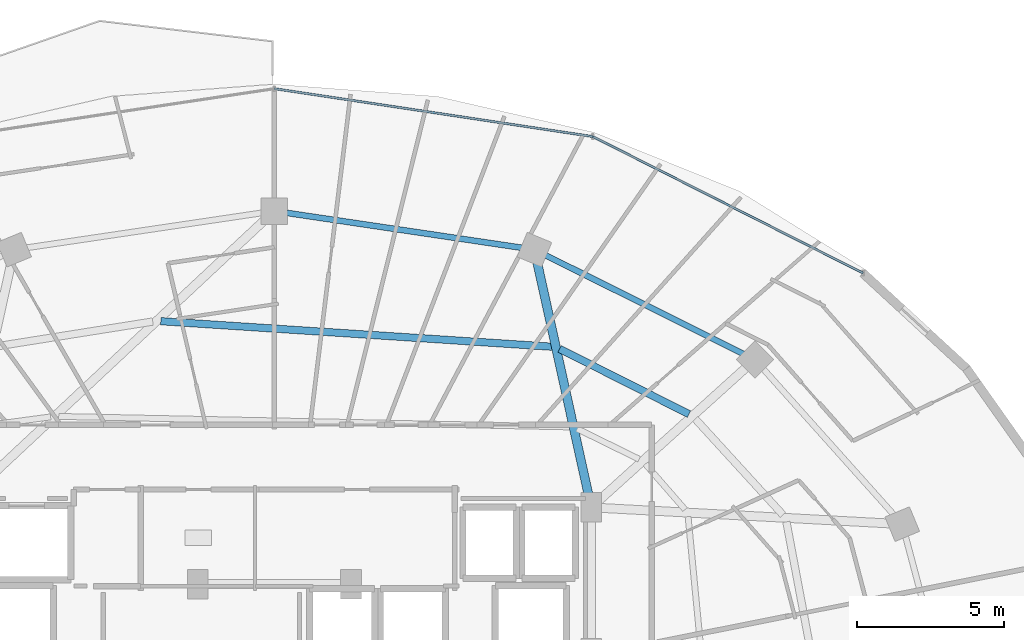
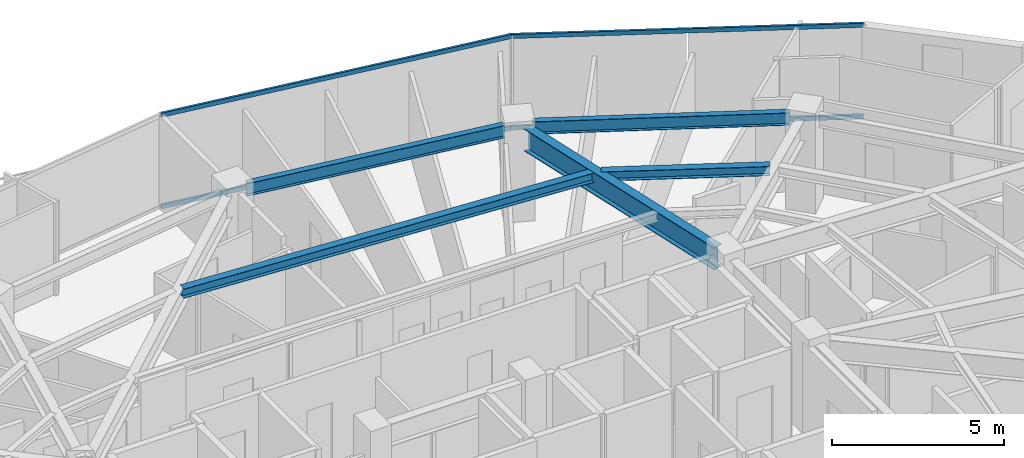
# One storey, part 21 of 34: 5 beams, 4 members, 1 element without a shape of its own.
"""IFC4 building model written with IfcOpenShell, lengths in metres."""

import ifcopenshell
import ifcopenshell.guid

model = None  # the IFC model being written
_history = None  # IfcOwnerHistory: only IFC2X3 demands one
_inside = {}  # id of a spatial element -> (the spatial element, [elements in it])
_under = {}  # id of a project, library or spatial element -> (it, [spatial elements below it])
_declared = {}  # id of a project -> (the project, [libraries it declares])
_typed = {}  # id of a type object -> (the type object, [elements of that type])
_made_of = {}  # id of a material, layer set ... -> (it, [elements and type objects made of it])


def new_model(schema):
    """Start an empty IFC model of exactly this schema.

    Asked for "IFC4X3", IfcOpenShell would pick the latest addendum, in which some entities
    have other attributes; the version numbers below select the first issue.
    IFC2X3 requires an IfcOwnerHistory on every rooted entity: one is made here for all.
    """
    global model, _history
    if schema == "IFC4X3":
        model = ifcopenshell.file(schema_version=(4, 3, 0, 0))
    else:
        model = ifcopenshell.file(schema=schema)
    _inside.clear()
    _under.clear()
    _declared.clear()
    _typed.clear()
    _made_of.clear()
    _history = None
    if model.schema == "IFC2X3":
        org = make("IfcOrganization", Name="unknown")
        user = make(
            "IfcPersonAndOrganization",
            ThePerson=make("IfcPerson", FamilyName="unknown"),
            TheOrganization=org,
        )
        app = make(
            "IfcApplication",
            ApplicationDeveloper=org,
            Version="unknown",
            ApplicationFullName="unknown",
            ApplicationIdentifier="unknown",
        )
        _history = make(
            "IfcOwnerHistory",
            OwningUser=user,
            OwningApplication=app,
            ChangeAction="ADDED",
            CreationDate=0,
        )
    return model


def make(cls, **values):
    """One entity of the class cls with the attributes given. An attribute that is None is left unset."""
    return model.create_entity(
        cls, **{name: value for name, value in values.items() if value is not None}
    )


def rooted(cls, **values):
    """An entity with a GlobalId (a new one), such as an element, a storey or a relation."""
    return make(cls, GlobalId=ifcopenshell.guid.new(), OwnerHistory=_history, **values)


def si_unit(unit_type, name, prefix=None):
    """IfcSIUnit, for example si_unit("LENGTHUNIT", "METRE", prefix="MILLI")."""
    return make("IfcSIUnit", UnitType=unit_type, Prefix=prefix, Name=name)


def assignment(units):
    """IfcUnitAssignment: the units of a project."""
    return None if units is None else make("IfcUnitAssignment", Units=units)


def point(xyz):
    """IfcCartesianPoint."""
    return None if xyz is None else make("IfcCartesianPoint", Coordinates=xyz)


def direction(xyz):
    """IfcDirection."""
    return None if xyz is None else make("IfcDirection", DirectionRatios=xyz)


def frame(location, z_axis=None, x_axis=None):
    """IfcAxis2Placement3D, a coordinate frame: its origin and axes. An axis left out is left unset."""
    return make(
        "IfcAxis2Placement3D",
        Location=point(location),
        Axis=direction(z_axis),
        RefDirection=direction(x_axis),
    )


def frame_2d(location, x_axis=None):
    """IfcAxis2Placement2D, a coordinate frame in the plane: its origin and x axis."""
    return make(
        "IfcAxis2Placement2D", Location=point(location), RefDirection=direction(x_axis)
    )


def origin():
    """The frame at (0, 0, 0) with its axes left unset."""
    return frame((0.0, 0.0, 0.0))


def origin_2d():
    """The frame at (0, 0) in the plane with its x axis left unset."""
    return frame_2d((0.0, 0.0))


def place(relative_to, where):
    """IfcLocalPlacement: puts the frame where relative to a parent placement (None: the world)."""
    return make(
        "IfcLocalPlacement", PlacementRelTo=relative_to, RelativePlacement=where
    )


def context(
    kind, dimensions, precision=None, world=None, true_north=None, identifier=None
):
    """IfcGeometricRepresentationContext, for example the 3D "Model" context."""
    return make(
        "IfcGeometricRepresentationContext",
        ContextIdentifier=identifier,
        ContextType=kind,
        CoordinateSpaceDimension=dimensions,
        Precision=precision,
        WorldCoordinateSystem=world,
        TrueNorth=true_north,
    )


def subcontext(parent, identifier, kind, view, scale=None):
    """IfcGeometricRepresentationSubContext, for example "Body" below "Model"."""
    return make(
        "IfcGeometricRepresentationSubContext",
        ContextIdentifier=identifier,
        ContextType=kind,
        ParentContext=parent,
        TargetScale=scale,
        TargetView=view,
    )


def project(units=None, contexts=None):
    """IfcProject with its units and contexts."""
    return rooted(
        "IfcProject",
        Name="project",
        RepresentationContexts=contexts,
        UnitsInContext=assignment(units),
    )


def spatial(cls, under=None, at=None, **own):
    """A site, building, storey or space (cls), placed at a placement, below another one or the project."""
    s = rooted(cls, ObjectPlacement=at, **own)
    if under is not None:
        _under.setdefault(under.id(), (under, []))[1].append(s)
    return s


def profile(cls, at=None, kind="AREA", **sizes):
    """A parametric profile (cls). Its sizes go by their IFC names, for example OverallWidth=200.0."""
    return make(cls, ProfileType=kind, Position=at, **sizes)


def hollow_rectangle(**sizes):
    """IfcRectangleHollowProfileDef."""
    return profile("IfcRectangleHollowProfileDef", **sizes)


def i_section(**sizes):
    """IfcIShapeProfileDef."""
    return profile("IfcIShapeProfileDef", **sizes)


def extrude(swept, where, along, depth):
    """IfcExtrudedAreaSolid: the profile swept, set in the frame where, extruded along a direction by depth."""
    return make(
        "IfcExtrudedAreaSolid",
        SweptArea=swept,
        Position=where,
        ExtrudedDirection=direction(along),
        Depth=depth,
    )


def shape(context_of_items, identifier, shape_type, items):
    """IfcShapeRepresentation: the items that make up one representation, for example the "Body"."""
    return make(
        "IfcShapeRepresentation",
        ContextOfItems=context_of_items,
        RepresentationIdentifier=identifier,
        RepresentationType=shape_type,
        Items=items,
    )


def material(Name=None, Category=None):
    """IfcMaterial."""
    return make("IfcMaterial", Name=Name, Category=Category)


def material_profile(
    of_material, cross_section, Name=None, Category=None, Priority=None
):
    """IfcMaterialProfile: a cross section and its material."""
    return make(
        "IfcMaterialProfile",
        Name=Name,
        Material=of_material,
        Profile=cross_section,
        Priority=Priority,
        Category=Category,
    )


def profile_set(profiles, Name=None, composite=None):
    """IfcMaterialProfileSet."""
    return make(
        "IfcMaterialProfileSet",
        Name=Name,
        MaterialProfiles=profiles,
        CompositeProfile=composite,
    )


def made_of(thing, what):
    """Note that an element or type object is made of a material, layer set ...; save() writes the relation."""
    if what is not None:
        _made_of.setdefault(what.id(), (what, []))[1].append(thing)
    return thing


def type_object(cls, material=None, **own):
    """A type object (cls), such as IfcWallType, which elements share."""
    return made_of(rooted(cls, **own), material)


def element(
    cls,
    number,
    at=None,
    inside=None,
    cuts=None,
    type_object=None,
    material=None,
    context=None,
    identifier="Body",
    shape_type=None,
    held_by="IfcProductDefinitionShape",
    body=None,
    shapes=None,
    **own,
):
    """One element of the class cls, such as IfcWall. Its Tag is "e" and its number.

    at: its placement. inside: the storey or other place that contains it. cuts: it is an
    opening in that element (IfcRelVoidsElement). A single representation is given by context,
    identifier, shape_type and body (its items); several are given by shapes. held_by: the class
    of the entity that holds the representations. save() writes the other relations.
    """
    e = rooted(cls, Tag="e%d" % number, ObjectPlacement=at, **own)
    if body is not None:
        shapes = [shape(context, identifier, shape_type, body)]
    if shapes is not None:
        e.Representation = make(held_by, Representations=shapes)
    if inside is not None:
        _inside.setdefault(inside.id(), (inside, []))[1].append(e)
    if cuts is not None:
        rooted(
            "IfcRelVoidsElement", RelatingBuildingElement=cuts, RelatedOpeningElement=e
        )
    if type_object is not None:
        _typed.setdefault(type_object.id(), (type_object, []))[1].append(e)
    return made_of(e, material)


def aggregate(whole, parts):
    """IfcRelAggregates: a whole, such as a stair, and the parts it consists of."""
    return rooted("IfcRelAggregates", RelatingObject=whole, RelatedObjects=parts)


def save(model, path):
    """Write the relations noted so far, then the file.

    IfcRelAggregates (storeys below a building ...), IfcRelContainedInSpatialStructure (elements
    in a storey), IfcRelDefinesByType, IfcRelAssociatesMaterial and IfcRelDeclares: one each for
    every whole, place, type object, material and project.
    """
    for whole, parts in _under.values():
        aggregate(whole, parts)
    for where, things in _inside.values():
        rooted(
            "IfcRelContainedInSpatialStructure",
            RelatedElements=things,
            RelatingStructure=where,
        )
    for kind, things in _typed.values():
        rooted("IfcRelDefinesByType", RelatedObjects=things, RelatingType=kind)
    for what, things in _made_of.values():
        rooted("IfcRelAssociatesMaterial", RelatedObjects=things, RelatingMaterial=what)
    for by, libraries in _declared.values():
        rooted("IfcRelDeclares", RelatingContext=by, RelatedDefinitions=libraries)
    model.write(path)


model = new_model("IFC4")

# Units and contexts
model_context = context("Model", 3, precision=1e-05, world=origin(), true_north=direction((0.0, 1.0)))
body_context = subcontext(model_context, "Body", "Model", "MODEL_VIEW")
ifc_project = project(units=[si_unit("LENGTHUNIT", "METRE"), si_unit("AREAUNIT", "SQUARE_METRE"), si_unit("VOLUMEUNIT", "CUBIC_METRE"), si_unit("PLANEANGLEUNIT", "RADIAN"), si_unit("MASSUNIT", "GRAM", prefix="KILO")], contexts=[model_context])

# Site, building, storey
site_placement = place(None, origin())
site = spatial("IfcSite", under=ifc_project, at=site_placement, CompositionType="ELEMENT")
building_placement = place(site_placement, origin())
building = spatial("IfcBuilding", under=site, at=building_placement, Name="Vorneva Point Tower", CompositionType="ELEMENT")
storey_placement = place(building_placement, frame((0.0, 0.0, 210.75)))
storey = spatial("IfcBuildingStorey", under=building, at=storey_placement, Name="L57", CompositionType="ELEMENT", Elevation=210.75)

# Beams
ifc_material_1 = material(Name="Steel S355", Category="steel")
ifc_material_profile_1 = material_profile(ifc_material_1, i_section(OverallWidth=0.300048828125, OverallDepth=0.7880859375, WebThickness=0.014404296875, FlangeThickness=0.02197265625, at=origin_2d()), Name="80Sh1")
ifc_profile_set_1 = profile_set([ifc_material_profile_1], Name="Steel S355")
beam_type_1 = type_object("IfcBeamType", Name="BM-GRD-80Sh1", PredefinedType="USERDEFINED", material=ifc_profile_set_1)
beam_1_placement = place(storey_placement, frame((46.915283203125, 41.462890625, 2.89599609375), z_axis=(0.215522758292, -0.976498817541, 0.0), x_axis=(0.976498817541, 0.215522758292, 0.0)))
element("IfcBeam", 1, at=beam_1_placement, inside=storey, type_object=beam_type_1, Name="L57 Radial Primary Girder 04", ObjectType="GIRDER", PredefinedType="USERDEFINED", context=body_context, shape_type="SweptSolid", body=[
    extrude(i_section(OverallWidth=0.300048828125, OverallDepth=0.7880859375, WebThickness=0.014404296875, FlangeThickness=0.02197265625, at=origin_2d()), origin(), (0.0, 0.0, 1.0), 8.173095703125),
])
ifc_material_profile_2 = material_profile(ifc_material_1, i_section(OverallWidth=0.2490234375, OverallDepth=0.333984375, WebThickness=0.008056640625, FlangeThickness=0.010986328125, at=origin_2d()), Name="35Sh1")
ifc_profile_set_2 = profile_set([ifc_material_profile_2], Name="Steel S355")
beam_type_2 = type_object("IfcBeamType", Name="BM-SEC-35Sh1", PredefinedType="BEAM", material=ifc_profile_set_2)
beam_2_placement = place(storey_placement, frame((52.060791015625, 36.314208984375, 3.123046875), z_axis=(-0.89285196268, 0.450350277827, 0.0), x_axis=(-0.450350277827, -0.89285196268, 0.0)))
element("IfcBeam", 2, at=beam_2_placement, inside=storey, type_object=beam_type_2, Name="L57 Secondary Floor Beam 1.03", PredefinedType="BEAM", context=body_context, shape_type="SweptSolid", body=[
    extrude(i_section(OverallWidth=0.2490234375, OverallDepth=0.333984375, WebThickness=0.008056640625, FlangeThickness=0.010986328125, at=origin_2d()), origin(), (0.0, 0.0, 1.0), 4.914794921875),
])
beam_3_placement = place(storey_placement, frame((47.41162109375, 38.598876953125, 3.123046875), z_axis=(-0.997872888723, 0.065189707405, 0.0), x_axis=(-0.065189707405, -0.997872888723, 0.0)))
element("IfcBeam", 3, at=beam_3_placement, inside=storey, type_object=beam_type_2, Name="L57 Secondary Floor Beam 1.04", PredefinedType="BEAM", context=body_context, shape_type="SweptSolid", body=[
    extrude(i_section(OverallWidth=0.2490234375, OverallDepth=0.333984375, WebThickness=0.008056640625, FlangeThickness=0.010986328125, at=origin_2d()), origin(), (0.0, 0.0, 1.0), 13.28759765625),
])
ifc_material_profile_3 = material_profile(ifc_material_1, i_section(OverallWidth=0.198974609375, OverallDepth=0.446044921875, WebThickness=0.008056640625, FlangeThickness=0.011962890625, at=origin_2d()), Name="45B1")
ifc_profile_set_3 = profile_set([ifc_material_profile_3], Name="Steel S355")
beam_type_3 = type_object("IfcBeamType", Name="BM-SPN-45B1", PredefinedType="SPANDREL", material=ifc_profile_set_3)
beam_4_placement = place(storey_placement, frame((53.909423828125, 38.356201171875, 3.06689453125), z_axis=(-0.894922371084, 0.446221861559, 0.0), x_axis=(-0.446221861559, -0.894922371084, 0.0)))
element("IfcBeam", 4, at=beam_4_placement, inside=storey, type_object=beam_type_3, Name="L57 Perimeter Spandrel Ring Beam 03", PredefinedType="SPANDREL", context=body_context, shape_type="SweptSolid", body=[
    extrude(i_section(OverallWidth=0.198974609375, OverallDepth=0.446044921875, WebThickness=0.008056640625, FlangeThickness=0.011962890625, at=origin_2d()), origin(), (0.0, 0.0, 1.0), 7.48583984375),
])
beam_5_placement = place(storey_placement, frame((46.390625, 41.95458984375, 3.06689453125), z_axis=(-0.989165476332, 0.146804837907, 0.0), x_axis=(-0.146804837907, -0.989165476332, 0.0)))
element("IfcBeam", 5, at=beam_5_placement, inside=storey, type_object=beam_type_3, Name="L57 Perimeter Spandrel Ring Beam 04", PredefinedType="SPANDREL", context=body_context, shape_type="SweptSolid", body=[
    extrude(i_section(OverallWidth=0.198974609375, OverallDepth=0.446044921875, WebThickness=0.008056640625, FlangeThickness=0.011962890625, at=origin_2d()), origin(), (0.0, 0.0, 1.0), 8.04736328125),
])

# Curtain wall, members
ifc_material_2 = material(Name="Pale anodised aluminium", Category="aluminium")
curtain_wall_type = type_object("IfcCurtainWallType", Name="CW-RES-SYS", PredefinedType="NOTDEFINED", material=ifc_material_2)
curtain_wall_placement = place(storey_placement, origin())
curtain_wall = element("IfcCurtainWall", 6, at=curtain_wall_placement, inside=storey, type_object=curtain_wall_type, Name="L57 Unitised Curtain Wall CW-L57-R02", PredefinedType="NOTDEFINED")
ifc_material_profile_4 = material_profile(ifc_material_2, hollow_rectangle(XDim=0.074951171875, YDim=0.14990234375, WallThickness=0.00390625, at=origin_2d()), Name="AL-TRN 150x75x4")
ifc_profile_set_4 = profile_set([ifc_material_profile_4], Name="Pale anodised aluminium")
member_type = type_object("IfcMemberType", Name="CW-TRN-150", PredefinedType="USERDEFINED", material=ifc_profile_set_4)
member_1_placement = place(storey_placement, frame((57.961669921875, 41.0966796875, 0.02001953125), z_axis=(-0.892510927709, 0.451025768576, 0.0), x_axis=(-0.451025768576, -0.892510927709, 0.0)))
member_1 = element("IfcMember", 7, at=member_1_placement, type_object=member_type, Name="CW-L57-R02 Transom 01.1", ObjectType="TRANSOM", PredefinedType="USERDEFINED", context=body_context, shape_type="SweptSolid", body=[
    extrude(hollow_rectangle(XDim=0.074951171875, YDim=0.14990234375, WallThickness=0.00390625, at=origin_2d()), origin(), (0.0, 0.0, 1.0), 10.261474609375),
])
member_2_placement = place(storey_placement, frame((57.961669921875, 41.0966796875, 3.27001953125), z_axis=(-0.892510927709, 0.451025768576, 0.0), x_axis=(-0.451025768576, -0.892510927709, 0.0)))
member_2 = element("IfcMember", 8, at=member_2_placement, type_object=member_type, Name="CW-L57-R02 Transom 01.2", ObjectType="TRANSOM", PredefinedType="USERDEFINED", context=body_context, shape_type="SweptSolid", body=[
    extrude(hollow_rectangle(XDim=0.074951171875, YDim=0.14990234375, WallThickness=0.00390625, at=origin_2d()), origin(), (0.0, 0.0, 1.0), 10.261474609375),
])
member_3_placement = place(storey_placement, frame((48.80322265625, 45.724853515625, 0.02001953125), z_axis=(-0.988872333273, 0.148766624239, 0.0), x_axis=(-0.148766624239, -0.988872333273, 0.0)))
member_3 = element("IfcMember", 9, at=member_3_placement, type_object=member_type, Name="CW-L57-R02 Transom 02.1", ObjectType="TRANSOM", PredefinedType="USERDEFINED", context=body_context, shape_type="SweptSolid", body=[
    extrude(hollow_rectangle(XDim=0.074951171875, YDim=0.14990234375, WallThickness=0.00390625, at=origin_2d()), origin(), (0.0, 0.0, 1.0), 10.9248046875),
])
member_4_placement = place(storey_placement, frame((48.80322265625, 45.724853515625, 3.27001953125), z_axis=(-0.988872333273, 0.148766624239, 0.0), x_axis=(-0.148766624239, -0.988872333273, 0.0)))
member_4 = element("IfcMember", 10, at=member_4_placement, type_object=member_type, Name="CW-L57-R02 Transom 02.2", ObjectType="TRANSOM", PredefinedType="USERDEFINED", context=body_context, shape_type="SweptSolid", body=[
    extrude(hollow_rectangle(XDim=0.074951171875, YDim=0.14990234375, WallThickness=0.00390625, at=origin_2d()), origin(), (0.0, 0.0, 1.0), 10.9248046875),
])
aggregate(curtain_wall, [member_1, member_2, member_3, member_4])

save(model, "model.ifc")
